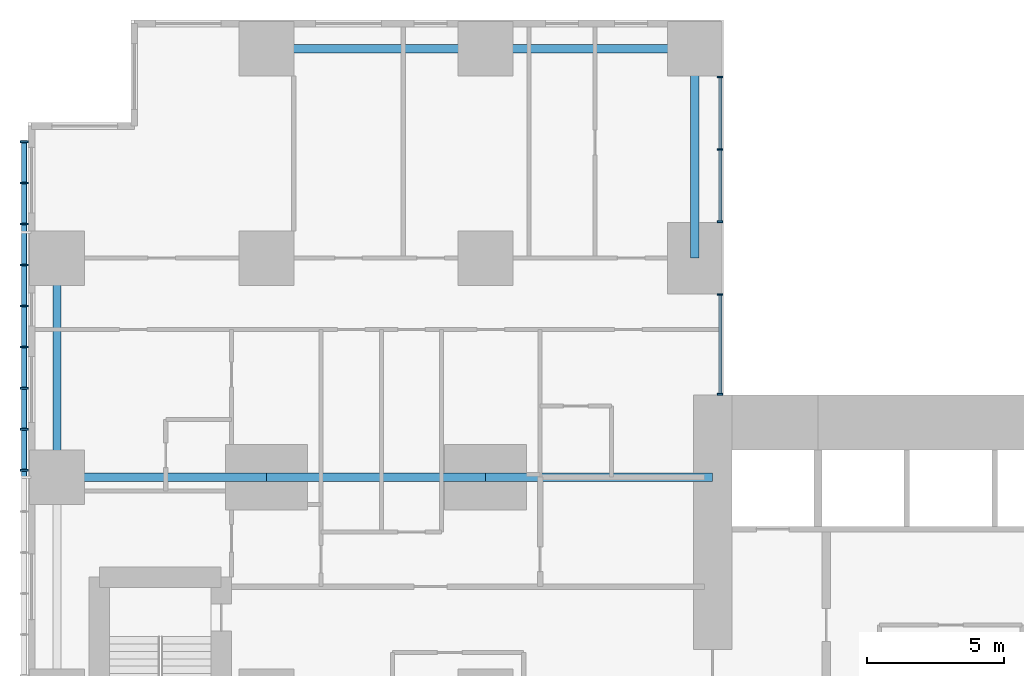
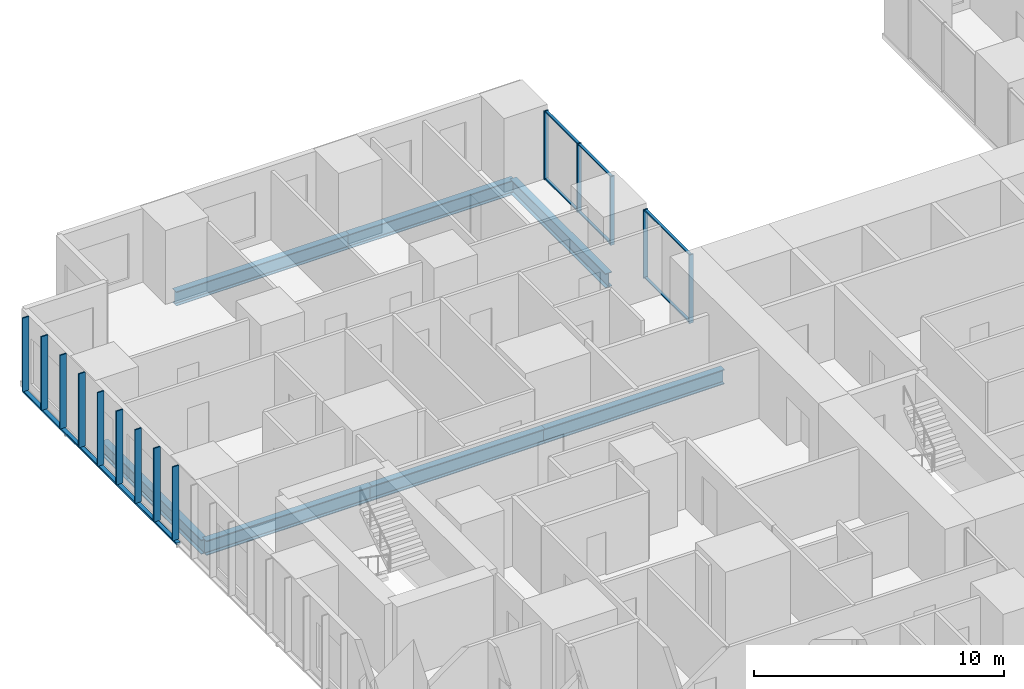
# One storey, part 4 of 20: 21 members, 7 beams, 2 elements without a shape of their own.
"""IFC4 building model written with IfcOpenShell, lengths in metres."""

from ifc_helpers import new_model, si_unit, direction, frame, origin, origin_2d, place, context, subcontext, project, spatial, rectangle, hollow_rectangle, i_section, extrude, material, layer, layer_set, material_profile, profile_set, type_object, element, aggregate, save


model = new_model("IFC4")

# Units and contexts
model_context = context("Model", 3, precision=1e-05, world=origin(), true_north=direction((0.0, 1.0)))
body_context = subcontext(model_context, "Body", "Model", "MODEL_VIEW")
ifc_project = project(units=[si_unit("LENGTHUNIT", "METRE"), si_unit("AREAUNIT", "SQUARE_METRE"), si_unit("VOLUMEUNIT", "CUBIC_METRE"), si_unit("PLANEANGLEUNIT", "RADIAN"), si_unit("MASSUNIT", "GRAM", prefix="KILO")], contexts=[model_context])

# Site, building, storey
site_placement = place(None, origin())
site = spatial("IfcSite", under=ifc_project, at=site_placement, CompositionType="ELEMENT")
building_placement = place(site_placement, origin())
building = spatial("IfcBuilding", under=site, at=building_placement, Name="Cleftline Residences", CompositionType="ELEMENT")
storey_placement = place(building_placement, frame((0.0, 0.0, 157.39990234375)))
storey = spatial("IfcBuildingStorey", under=building, at=storey_placement, Name="L41", CompositionType="ELEMENT", Elevation=157.39990234375)

# Member
ifc_material_1 = material(Name="Steel S355, hot-dip galvanised", Category="steel")
ifc_material_profile_1 = material_profile(ifc_material_1, hollow_rectangle(XDim=0.10009765625, YDim=0.199951171875, WallThickness=0.008056640625, InnerFilletRadius=0.008056640625, OuterFilletRadius=0.011962890625, at=origin_2d()))
ifc_profile_set_1 = profile_set([ifc_material_profile_1], Name="Steel S355, hot-dip galvanised")
member_type_1 = type_object("IfcMemberType", Name="BAGUETTE CARRIER RHS 200X100X8", PredefinedType="USERDEFINED", material=ifc_profile_set_1)
member_1_placement = place(storey_placement, frame((-0.85009765625, 44.300048828125, -0.0498046875), z_axis=(0.0, -1.0, 0.0), x_axis=(0.0, 0.0, 1.0)))
element("IfcMember", 1, at=member_1_placement, inside=storey, type_object=member_type_1, Name="Baguette carrier", ObjectType="BAGUETTE CARRIER", PredefinedType="USERDEFINED", context=body_context, shape_type="SweptSolid", body=[
    extrude(hollow_rectangle(XDim=0.10009765625, YDim=0.199951171875, WallThickness=0.008056640625, InnerFilletRadius=0.008056640625, OuterFilletRadius=0.011962890625, at=origin_2d()), origin(), (0.0, 0.0, 1.0), 12.300048828125),
])

# Beams
ifc_material_2 = material(Name="Steel S355", Category="steel")
ifc_material_profile_2 = material_profile(ifc_material_2, i_section(OverallWidth=0.300048828125, OverallDepth=0.699951171875, WebThickness=0.01708984375, FlangeThickness=0.031982421875, FilletRadius=0.027099609375, at=origin_2d()))
ifc_profile_set_2 = profile_set([ifc_material_profile_2], Name="Steel S355")
beam_type_1 = type_object("IfcBeamType", Name="BEAM HEB 700", PredefinedType="BEAM", material=ifc_profile_set_2)
for number, where, z_axis, x_axis, name in (
    (2, (0.35009765625, 32.0, -0.599853515625), (0.0, 1.0, 0.0), (-1.0, 0.0, 0.0), "Edge beam"),
    (3, (8.0, 47.64990234375, -0.599853515625), (1.0, 0.0, 0.0), (0.0, 1.0, 0.0), "Edge beam"),
):
    element("IfcBeam", number, at=place(storey_placement, frame(where, z_axis=z_axis, x_axis=x_axis)), inside=storey, type_object=beam_type_1, Name=name, PredefinedType="BEAM", context=body_context, shape_type="SweptSolid", body=[
        extrude(i_section(OverallWidth=0.300048828125, OverallDepth=0.699951171875, WebThickness=0.01708984375, FlangeThickness=0.031982421875, FilletRadius=0.027099609375, at=origin_2d()), origin(), (0.0, 0.0, 1.0), 8.0),
    ])
for number, where, z_axis, x_axis, name in (
    (4, (16.0, 47.64990234375, -0.599853515625), (1.0, 0.0, 0.0), (0.0, 1.0, 0.0), "Edge beam"),
    (5, (23.64990234375, 47.64990234375, -0.599853515625), (0.0, -1.0, 0.0), (1.0, 0.0, 0.0), "Edge beam"),
):
    element("IfcBeam", number, at=place(storey_placement, frame(where, z_axis=z_axis, x_axis=x_axis)), inside=storey, type_object=beam_type_1, Name=name, PredefinedType="BEAM", context=body_context, shape_type="SweptSolid", body=[
        extrude(i_section(OverallWidth=0.300048828125, OverallDepth=0.699951171875, WebThickness=0.01708984375, FlangeThickness=0.031982421875, FilletRadius=0.027099609375, at=origin_2d()), origin(), (0.0, 0.0, 1.0), 7.64990234375),
    ])
ifc_material_3 = material(Name="Steel S355", Category="steel")
ifc_material_profile_3 = material_profile(ifc_material_3, i_section(OverallWidth=0.303955078125, OverallDepth=0.716064453125, WebThickness=0.02099609375, FlangeThickness=0.0400390625, FilletRadius=0.027099609375, at=origin_2d()))
ifc_profile_set_3 = profile_set([ifc_material_profile_3], Name="Steel S355")
beam_type_2 = type_object("IfcBeamType", Name="BEAM HEM 700", PredefinedType="BEAM", material=ifc_profile_set_3)
beam_1_placement = place(storey_placement, frame((0.35009765625, 32.0, -0.60791015625), z_axis=(1.0, 0.0, 0.0), x_axis=(0.0, 1.0, 0.0)))
element("IfcBeam", 6, at=beam_1_placement, inside=storey, type_object=beam_type_2, Name="Band beam", PredefinedType="BEAM", context=body_context, shape_type="SweptSolid", body=[
    extrude(i_section(OverallWidth=0.303955078125, OverallDepth=0.716064453125, WebThickness=0.02099609375, FlangeThickness=0.0400390625, FilletRadius=0.027099609375, at=origin_2d()), origin(), (0.0, 0.0, 1.0), 7.64990234375),
])
beam_2_placement = place(storey_placement, frame((8.0, 32.0, -0.60791015625), z_axis=(1.0, 0.0, 0.0), x_axis=(0.0, 1.0, 0.0)))
element("IfcBeam", 7, at=beam_2_placement, inside=storey, type_object=beam_type_2, Name="Band beam", PredefinedType="BEAM", context=body_context, shape_type="SweptSolid", body=[
    extrude(i_section(OverallWidth=0.303955078125, OverallDepth=0.716064453125, WebThickness=0.02099609375, FlangeThickness=0.0400390625, FilletRadius=0.027099609375, at=origin_2d()), origin(), (0.0, 0.0, 1.0), 8.0),
])
beam_3_placement = place(storey_placement, frame((16.0, 32.0, -0.60791015625), z_axis=(1.0, 0.0, 0.0), x_axis=(0.0, 1.0, 0.0)))
element("IfcBeam", 8, at=beam_3_placement, inside=storey, type_object=beam_type_2, Name="Band beam", PredefinedType="BEAM", context=body_context, shape_type="SweptSolid", body=[
    extrude(i_section(OverallWidth=0.303955078125, OverallDepth=0.716064453125, WebThickness=0.02099609375, FlangeThickness=0.0400390625, FilletRadius=0.027099609375, at=origin_2d()), origin(), (0.0, 0.0, 1.0), 8.300048828125),
])

# Curtain wall, members
ifc_material_4 = material(Name="Aluminium framed curtain wall", Category="aluminium")
ifc_layer = layer(ifc_material_4, 0.199951171875)
ifc_layer_set = layer_set([ifc_layer], Name="CW1 CLEFT GLAZING")
curtain_wall_type = type_object("IfcCurtainWallType", Name="CW1 CLEFT GLAZING", PredefinedType="NOTDEFINED", material=ifc_layer_set)
curtain_wall_1_placement = place(storey_placement, origin())
curtain_wall_1 = element("IfcCurtainWall", 9, at=curtain_wall_1_placement, inside=storey, type_object=curtain_wall_type, Name="Curtain wall CW1", PredefinedType="NOTDEFINED")
ifc_material_5 = material(Name="Aluminium mullion", Category="aluminium")
ifc_material_profile_4 = material_profile(ifc_material_5, rectangle(XDim=0.199951171875, YDim=0.06005859375, at=origin_2d()))
ifc_profile_set_4 = profile_set([ifc_material_profile_4], Name="Aluminium mullion")
member_type_2 = type_object("IfcMemberType", Name="CW1 MULLION", PredefinedType="MULLION", material=ifc_profile_set_4)
member_2_placement = place(storey_placement, frame((24.574951171875, 35.030029296875, 0.0), z_axis=(0.0, 0.0, 1.0), x_axis=(-1.0, 0.0, 0.0)))
member_2 = element("IfcMember", 10, at=member_2_placement, type_object=member_type_2, Name="CW1 mullion 1", PredefinedType="MULLION", context=body_context, shape_type="SweptSolid", body=[
    extrude(rectangle(XDim=0.199951171875, YDim=0.06005859375, at=origin_2d()), origin(), (0.0, 0.0, 1.0), 3.35009765625),
])
member_3_placement = place(storey_placement, frame((24.574951171875, 38.669921875, 0.0), z_axis=(0.0, 0.0, 1.0), x_axis=(-1.0, 0.0, 0.0)))
member_3 = element("IfcMember", 11, at=member_3_placement, type_object=member_type_2, Name="CW1 mullion 2", PredefinedType="MULLION", context=body_context, shape_type="SweptSolid", body=[
    extrude(rectangle(XDim=0.199951171875, YDim=0.06005859375, at=origin_2d()), origin(), (0.0, 0.0, 1.0), 3.35009765625),
])

curtain_wall_2_placement = place(storey_placement, origin())
curtain_wall_2 = element("IfcCurtainWall", 12, at=curtain_wall_2_placement, inside=storey, type_object=curtain_wall_type, Name="Curtain wall CW1", PredefinedType="NOTDEFINED")
member_4_placement = place(storey_placement, frame((24.574951171875, 41.330078125, 0.0), z_axis=(0.0, 0.0, 1.0), x_axis=(-1.0, 0.0, 0.0)))
member_4 = element("IfcMember", 13, at=member_4_placement, type_object=member_type_2, Name="CW1 mullion 1", PredefinedType="MULLION", context=body_context, shape_type="SweptSolid", body=[
    extrude(rectangle(XDim=0.199951171875, YDim=0.06005859375, at=origin_2d()), origin(), (0.0, 0.0, 1.0), 3.35009765625),
])
member_5_placement = place(storey_placement, frame((24.574951171875, 43.97509765625, 0.0), z_axis=(0.0, 0.0, 1.0), x_axis=(-1.0, 0.0, 0.0)))
member_5 = element("IfcMember", 14, at=member_5_placement, type_object=member_type_2, Name="CW1 mullion 2", PredefinedType="MULLION", context=body_context, shape_type="SweptSolid", body=[
    extrude(rectangle(XDim=0.199951171875, YDim=0.06005859375, at=origin_2d()), origin(), (0.0, 0.0, 1.0), 3.35009765625),
])
member_6_placement = place(storey_placement, frame((24.574951171875, 46.6201171875, 0.0), z_axis=(0.0, 0.0, 1.0), x_axis=(-1.0, 0.0, 0.0)))
member_6 = element("IfcMember", 15, at=member_6_placement, type_object=member_type_2, Name="CW1 mullion 3", PredefinedType="MULLION", context=body_context, shape_type="SweptSolid", body=[
    extrude(rectangle(XDim=0.199951171875, YDim=0.06005859375, at=origin_2d()), origin(), (0.0, 0.0, 1.0), 3.35009765625),
])

# Member
ifc_material_6 = material(Name="Aluminium transom", Category="aluminium")
ifc_material_profile_5 = material_profile(ifc_material_6, rectangle(XDim=0.1201171875, YDim=0.06005859375, at=origin_2d()))
ifc_profile_set_5 = profile_set([ifc_material_profile_5], Name="Aluminium transom")
member_type_3 = type_object("IfcMemberType", Name="CW1 TRANSOM", PredefinedType="USERDEFINED", material=ifc_profile_set_5)
member_7_placement = place(storey_placement, frame((24.574951171875, 35.06005859375, 0.030029296875), z_axis=(0.0, 1.0, 0.0), x_axis=(-1.0, 0.0, 0.0)))
member_7 = element("IfcMember", 16, at=member_7_placement, type_object=member_type_3, Name="CW1 transom 1.1", ObjectType="TRANSOM", PredefinedType="USERDEFINED", context=body_context, shape_type="SweptSolid", body=[
    extrude(rectangle(XDim=0.1201171875, YDim=0.06005859375, at=origin_2d()), origin(), (0.0, 0.0, 1.0), 3.579833984375),
])

member_8_placement = place(storey_placement, frame((24.574951171875, 35.06005859375, 3.320068359375), z_axis=(0.0, 1.0, 0.0), x_axis=(-1.0, 0.0, 0.0)))
member_8 = element("IfcMember", 17, at=member_8_placement, type_object=member_type_3, Name="CW1 transom 1.2", ObjectType="TRANSOM", PredefinedType="USERDEFINED", context=body_context, shape_type="SweptSolid", body=[
    extrude(rectangle(XDim=0.1201171875, YDim=0.06005859375, at=origin_2d()), origin(), (0.0, 0.0, 1.0), 3.579833984375),
])

aggregate(curtain_wall_1, [member_2, member_3, member_7, member_8])

member_9_placement = place(storey_placement, frame((24.574951171875, 41.360107421875, 0.030029296875), z_axis=(0.0, 1.0, 0.0), x_axis=(-1.0, 0.0, 0.0)))
member_9 = element("IfcMember", 18, at=member_9_placement, type_object=member_type_3, Name="CW1 transom 1.1", ObjectType="TRANSOM", PredefinedType="USERDEFINED", context=body_context, shape_type="SweptSolid", body=[
    extrude(rectangle(XDim=0.1201171875, YDim=0.06005859375, at=origin_2d()), origin(), (0.0, 0.0, 1.0), 2.5849609375),
])

member_10_placement = place(storey_placement, frame((24.574951171875, 41.360107421875, 3.320068359375), z_axis=(0.0, 1.0, 0.0), x_axis=(-1.0, 0.0, 0.0)))
member_10 = element("IfcMember", 19, at=member_10_placement, type_object=member_type_3, Name="CW1 transom 1.2", ObjectType="TRANSOM", PredefinedType="USERDEFINED", context=body_context, shape_type="SweptSolid", body=[
    extrude(rectangle(XDim=0.1201171875, YDim=0.06005859375, at=origin_2d()), origin(), (0.0, 0.0, 1.0), 2.5849609375),
])

member_11_placement = place(storey_placement, frame((24.574951171875, 44.0048828125, 0.030029296875), z_axis=(0.0, 1.0, 0.0), x_axis=(-1.0, 0.0, 0.0)))
member_11 = element("IfcMember", 20, at=member_11_placement, type_object=member_type_3, Name="CW1 transom 2.1", ObjectType="TRANSOM", PredefinedType="USERDEFINED", context=body_context, shape_type="SweptSolid", body=[
    extrude(rectangle(XDim=0.1201171875, YDim=0.06005859375, at=origin_2d()), origin(), (0.0, 0.0, 1.0), 2.585205078125),
])

member_12_placement = place(storey_placement, frame((24.574951171875, 44.0048828125, 3.320068359375), z_axis=(0.0, 1.0, 0.0), x_axis=(-1.0, 0.0, 0.0)))
member_12 = element("IfcMember", 21, at=member_12_placement, type_object=member_type_3, Name="CW1 transom 2.2", ObjectType="TRANSOM", PredefinedType="USERDEFINED", context=body_context, shape_type="SweptSolid", body=[
    extrude(rectangle(XDim=0.1201171875, YDim=0.06005859375, at=origin_2d()), origin(), (0.0, 0.0, 1.0), 2.585205078125),
])

aggregate(curtain_wall_2, [member_4, member_5, member_6, member_9, member_10, member_11, member_12])

# Members
ifc_material_7 = material(Name="Extruded terracotta", Category="masonry")
ifc_material_profile_6 = material_profile(ifc_material_7, rectangle(XDim=0.06005859375, YDim=0.300048828125, at=origin_2d()))
ifc_profile_set_6 = profile_set([ifc_material_profile_6], Name="Extruded terracotta")
member_type_4 = type_object("IfcMemberType", Name="TERRACOTTA BAGUETTE 60X300", PredefinedType="USERDEFINED", material=ifc_profile_set_6)
for number, where, z_axis, x_axis, name in (
    (22, (-0.85009765625, 44.25, 0.0), (0.0, 0.0, 1.0), (0.0, 1.0, 0.0), "Terracotta baguette"),
    (23, (-0.85009765625, 42.75, 0.0), (0.0, 0.0, 1.0), (0.0, 1.0, 0.0), "Terracotta baguette"),
    (24, (-0.85009765625, 41.25, 0.0), (0.0, 0.0, 1.0), (0.0, 1.0, 0.0), "Terracotta baguette"),
    (25, (-0.85009765625, 39.75, 0.0), (0.0, 0.0, 1.0), (0.0, 1.0, 0.0), "Terracotta baguette"),
    (26, (-0.85009765625, 38.25, 0.0), (0.0, 0.0, 1.0), (0.0, 1.0, 0.0), "Terracotta baguette"),
    (27, (-0.85009765625, 36.75, 0.0), (0.0, 0.0, 1.0), (0.0, 1.0, 0.0), "Terracotta baguette"),
    (28, (-0.85009765625, 35.25, 0.0), (0.0, 0.0, 1.0), (0.0, 1.0, 0.0), "Terracotta baguette"),
    (29, (-0.85009765625, 33.75, 0.0), (0.0, 0.0, 1.0), (0.0, 1.0, 0.0), "Terracotta baguette"),
    (30, (-0.85009765625, 32.25, 0.0), (0.0, 0.0, 1.0), (0.0, 1.0, 0.0), "Terracotta baguette"),
):
    element("IfcMember", number, at=place(storey_placement, frame(where, z_axis=z_axis, x_axis=x_axis)), inside=storey, type_object=member_type_4, Name=name, ObjectType="BAGUETTE", PredefinedType="USERDEFINED", context=body_context, shape_type="SweptSolid", body=[
        extrude(rectangle(XDim=0.06005859375, YDim=0.300048828125, at=origin_2d()), origin(), (0.0, 0.0, 1.0), 3.60009765625),
    ])

save(model, "model.ifc")
